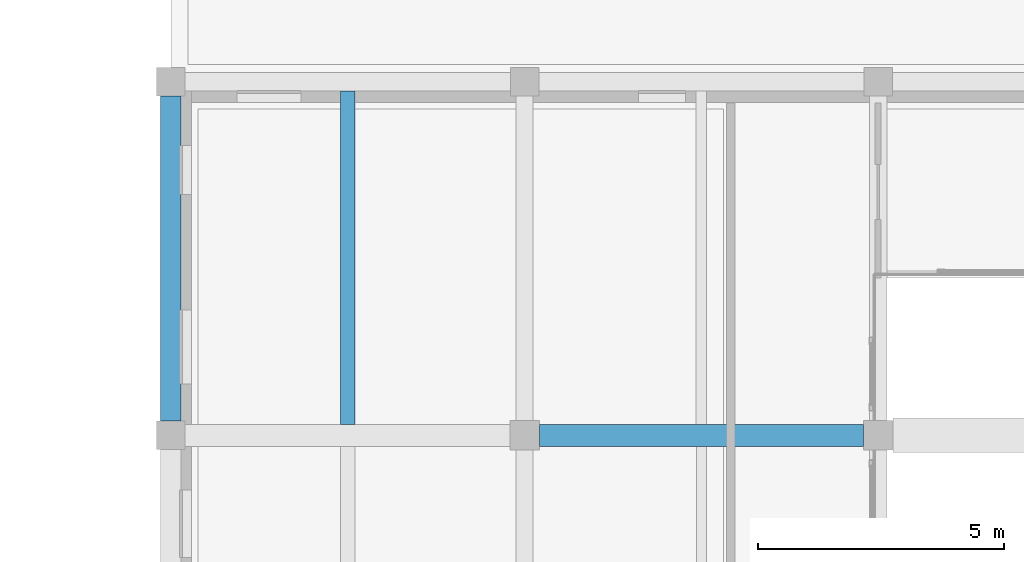
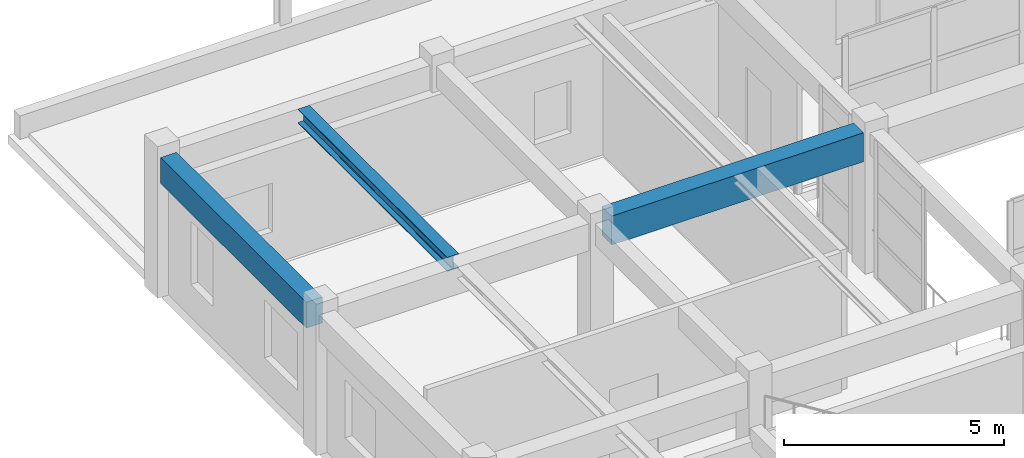
# One storey, part 32 of 99: 3 beams.
"""IFC4 building model written with IfcOpenShell, lengths in metres."""

from ifc_helpers import new_model, si_unit, direction, frame, origin, origin_2d, place, context, subcontext, project, spatial, rectangle, i_section, extrude, material, material_profile, profile_set, type_object, element, save


model = new_model("IFC4")

# Units and contexts
model_context = context("Model", 3, precision=1e-05, world=origin(), true_north=direction((0.0, 1.0)))
body_context = subcontext(model_context, "Body", "Model", "MODEL_VIEW")
ifc_project = project(units=[si_unit("LENGTHUNIT", "METRE"), si_unit("AREAUNIT", "SQUARE_METRE"), si_unit("VOLUMEUNIT", "CUBIC_METRE"), si_unit("PLANEANGLEUNIT", "RADIAN"), si_unit("MASSUNIT", "GRAM", prefix="KILO")], contexts=[model_context])

# Site, building, storey
site_placement = place(None, origin())
site = spatial("IfcSite", under=ifc_project, at=site_placement, CompositionType="ELEMENT")
building_placement = place(site_placement, origin())
building = spatial("IfcBuilding", under=site, at=building_placement, Name="Bramveld Media Centre", CompositionType="ELEMENT")
storey_placement = place(building_placement, frame((0.0, 0.0, 13.800048828125)))
storey = spatial("IfcBuildingStorey", under=building, at=storey_placement, Name="L03", CompositionType="ELEMENT", Elevation=13.800048828125)

# Beams
ifc_material_1 = material(Name="Concrete C40/50", Category="concrete")
ifc_material_profile_1 = material_profile(ifc_material_1, rectangle(XDim=0.449951171875, YDim=0.800048828125, at=origin_2d()), Name="RC 450x800")
ifc_profile_set_1 = profile_set([ifc_material_profile_1], Name="Concrete C40/50")
beam_type_1 = type_object("IfcBeamType", Name="BM-INT-RC-450x800", PredefinedType="BEAM", material=ifc_profile_set_1)
beam_1_placement = place(storey_placement, frame((73.10009765625, 104.800048828125, 3.47998046875), z_axis=(1.0, 0.0, 0.0), x_axis=(0.0, 1.0, 0.0)))
element("IfcBeam", 1, at=beam_1_placement, inside=storey, type_object=beam_type_1, Name="V6 L03 girder X-1145", PredefinedType="BEAM", context=body_context, shape_type="SweptSolid", body=[
    extrude(rectangle(XDim=0.449951171875, YDim=0.800048828125, at=origin_2d()), origin(), (0.0, 0.0, 1.0), 6.599853515625),
])
ifc_material_2 = material(Name="Steel S355J2", Category="steel")
ifc_material_profile_2 = material_profile(ifc_material_2, i_section(OverallWidth=0.300048828125, OverallDepth=0.389892578125, WebThickness=0.010986328125, FlangeThickness=0.01904296875, FilletRadius=0.027099609375, at=origin_2d()), Name="HEA 400")
ifc_profile_set_2 = profile_set([ifc_material_profile_2], Name="Steel S355J2")
beam_type_2 = type_object("IfcBeamType", Name="SBM-INT-HEA-400", PredefinedType="BEAM", material=ifc_profile_set_2)
beam_2_placement = place(storey_placement, frame((69.199951171875, 105.02490234375, 3.68505859375), z_axis=(0.0, 1.0, 0.0), x_axis=(-1.0, 0.0, 0.0)))
element("IfcBeam", 2, at=beam_2_placement, inside=storey, type_object=beam_type_2, Name="V6 L03 secondary floor joist 1170", PredefinedType="BEAM", context=body_context, shape_type="SweptSolid", body=[
    extrude(i_section(OverallWidth=0.300048828125, OverallDepth=0.389892578125, WebThickness=0.010986328125, FlangeThickness=0.01904296875, FilletRadius=0.027099609375, at=origin_2d()), origin(), (0.0, 0.0, 1.0), 6.78515625),
])
ifc_material_3 = material(Name="Concrete C40/50", Category="concrete")
ifc_material_profile_3 = material_profile(ifc_material_3, rectangle(XDim=0.419921875, YDim=0.719970703125, at=origin_2d()), Name="RC 420x720")
ifc_profile_set_3 = profile_set([ifc_material_profile_3], Name="Concrete C40/50")
beam_type_3 = type_object("IfcBeamType", Name="SPANDREL-EXT-RC-420x720", PredefinedType="SPANDREL", material=ifc_profile_set_3)
beam_3_placement = place(storey_placement, frame((65.60009765625, 105.090087890625, 3.52001953125), z_axis=(0.0, 1.0, 0.0), x_axis=(-1.0, 0.0, 0.0)))
element("IfcBeam", 3, at=beam_3_placement, inside=storey, type_object=beam_type_3, Name="V6 L03 girder Y-1155", PredefinedType="SPANDREL", context=body_context, shape_type="SweptSolid", body=[
    extrude(rectangle(XDim=0.419921875, YDim=0.719970703125, at=origin_2d()), origin(), (0.0, 0.0, 1.0), 6.619873046875),
])

save(model, "model.ifc")
